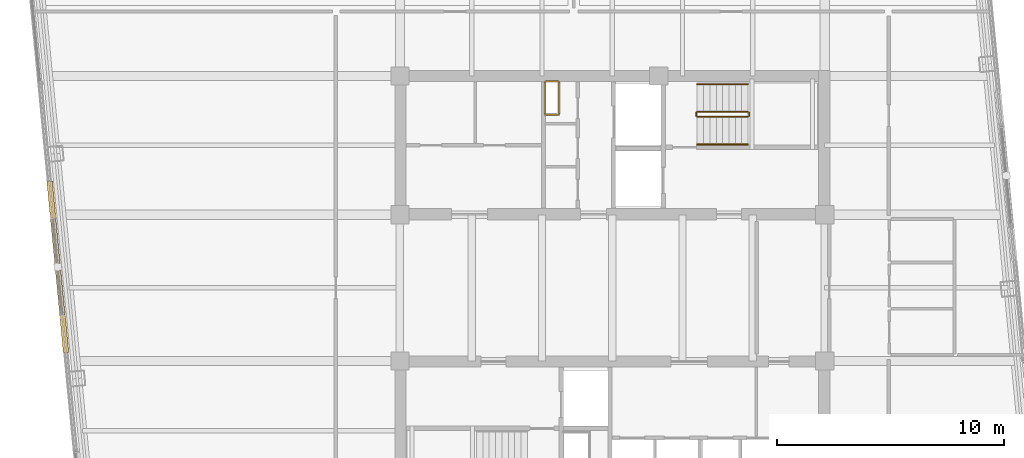
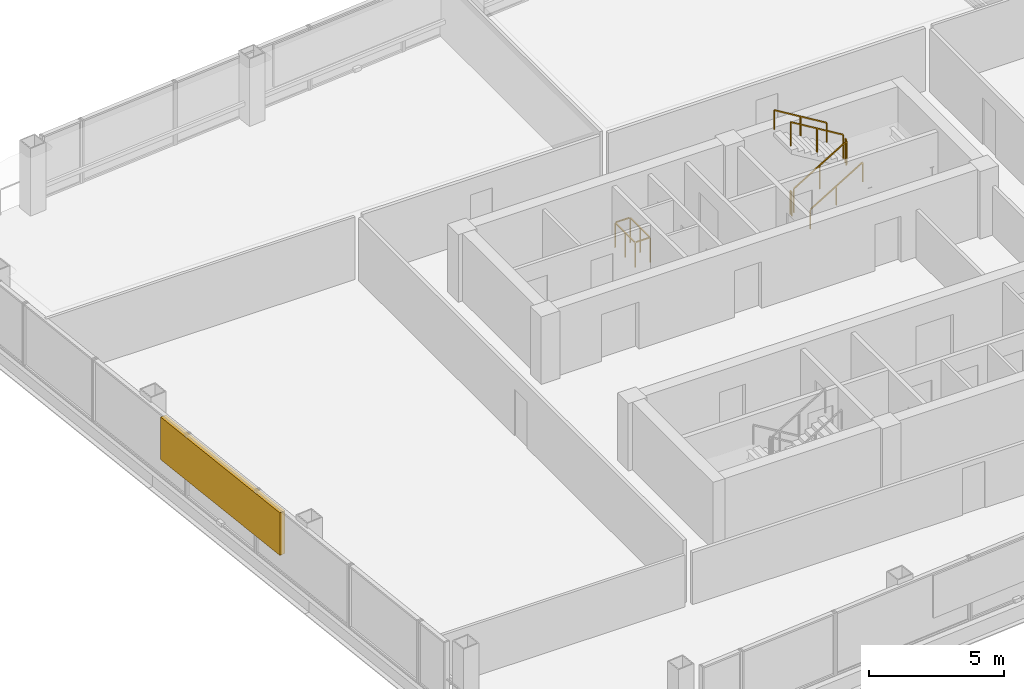
# One storey, part 27 of 28: 7 railings, 1 shading device.
"""IFC4 building model written with IfcOpenShell, lengths in metres."""

from ifc_helpers import new_model, si_unit, direction, frame, origin, origin_2d, place, context, subcontext, project, spatial, rectangle, extrude, material, type_object, element, save


model = new_model("IFC4")

# Units and contexts
model_context = context("Model", 3, precision=1e-05, world=origin(), true_north=direction((0.0, 1.0)))
body_context = subcontext(model_context, "Body", "Model", "MODEL_VIEW")
ifc_project = project(units=[si_unit("LENGTHUNIT", "METRE"), si_unit("AREAUNIT", "SQUARE_METRE"), si_unit("VOLUMEUNIT", "CUBIC_METRE"), si_unit("PLANEANGLEUNIT", "RADIAN"), si_unit("MASSUNIT", "GRAM", prefix="KILO")], contexts=[model_context])

# Site, building, storey
site_placement = place(None, origin())
site = spatial("IfcSite", under=ifc_project, at=site_placement, CompositionType="ELEMENT")
building_placement = place(site_placement, origin())
building = spatial("IfcBuilding", under=site, at=building_placement, Name="Qhalaya Broadcast Tower", CompositionType="ELEMENT")
storey_placement = place(building_placement, frame((0.0, 0.0, 159.199951171875)))
storey = spatial("IfcBuildingStorey", under=building, at=storey_placement, Name="L46", CompositionType="ELEMENT", Elevation=159.199951171875)

# Railings
ifc_material_1 = material(Name="Powder-Coated Galvanised Steel", Category="steel")
railing_type_1 = type_object("IfcRailingType", Name="Stair Wall Handrail 900", PredefinedType="HANDRAIL", material=ifc_material_1)
railing_1_placement = place(storey_placement, frame((3.75, 6.929931640625, 0.16943359375)))
element("IfcRailing", 1, at=railing_1_placement, inside=storey, type_object=railing_type_1, Name="L46 ST-1 Stair Handrail 1", PredefinedType="HANDRAIL", context=body_context, shape_type="SweptSolid", body=[
    extrude(rectangle(XDim=0.048095703125, YDim=0.048095703125, at=origin_2d()), frame((0.0, 0.0, 0.8759765625), z_axis=(0.855512035549, 0.0, 0.517782924622), x_axis=(0.0, 1.0, 0.0)), (0.0, 0.0, 1.0), 2.618408203125),
    extrude(rectangle(XDim=0.0419921875, YDim=0.0419921875, at=origin_2d()), origin(), (0.0, 0.0, 1.0), 0.849853515625),
    extrude(rectangle(XDim=0.0419921875, YDim=0.0419921875, at=origin_2d()), frame((1.1201171875, 0.0, 0.677734375)), (0.0, 0.0, 1.0), 0.849853515625),
    extrude(rectangle(XDim=0.0419921875, YDim=0.0419921875, at=origin_2d()), frame((2.239990234375, 0.0, 1.355712890625)), (0.0, 0.0, 1.0), 0.849853515625),
])
railing_2_placement = place(storey_placement, frame((5.989990234375, 9.590087890625, 1.694580078125)))
element("IfcRailing", 2, at=railing_2_placement, inside=storey, type_object=railing_type_1, Name="L46 ST-1 Stair Handrail 2", PredefinedType="HANDRAIL", context=body_context, shape_type="SweptSolid", body=[
    extrude(rectangle(XDim=0.048095703125, YDim=0.048095703125, at=origin_2d()), frame((0.0, 0.0, 0.8759765625), z_axis=(-0.855553338991, 0.0, 0.51771467445), x_axis=(0.0, -1.0, 0.0)), (0.0, 0.0, 1.0), 2.6181640625),
    extrude(rectangle(XDim=0.0419921875, YDim=0.0419921875, at=origin_2d()), origin(), (0.0, 0.0, 1.0), 0.849853515625),
    extrude(rectangle(XDim=0.0419921875, YDim=0.0419921875, at=origin_2d()), frame((-1.1201171875, 0.0, 0.677734375)), (0.0, 0.0, 1.0), 0.849853515625),
    extrude(rectangle(XDim=0.0419921875, YDim=0.0419921875, at=origin_2d()), frame((-2.239990234375, 0.0, 1.35546875)), (0.0, 0.0, 1.0), 0.849853515625),
])
railing_type_2 = type_object("IfcRailingType", Name="Stair Well & Landing Guardrail 1100", PredefinedType="GUARDRAIL", material=ifc_material_1)
railing_3_placement = place(storey_placement, frame((-2.340087890625, 8.239990234375, 0.0)))
element("IfcRailing", 3, at=railing_3_placement, inside=storey, type_object=railing_type_2, Name="L46 Service Riser Opening Safety Guard NRSR", PredefinedType="GUARDRAIL", context=body_context, shape_type="SweptSolid", body=[
    extrude(rectangle(XDim=0.048095703125, YDim=0.048095703125, at=origin_2d()), frame((0.0, 0.02880859375, 1.1259765625), z_axis=(0.0, 1.0, 0.0), x_axis=(-1.0, 0.0, 0.0)), (0.0, 0.0, 1.0), 1.42236328125),
    extrude(rectangle(XDim=0.048095703125, YDim=0.048095703125, at=origin_2d()), frame((-0.02880859375, 1.47998046875, 1.1259765625), z_axis=(-1.0, 0.0, 0.0), x_axis=(0.0, -1.0, 0.0)), (0.0, 0.0, 1.0), 0.582275390625),
    extrude(rectangle(XDim=0.048095703125, YDim=0.048095703125, at=origin_2d()), frame((-0.639892578125, 1.451171875, 1.1259765625), z_axis=(0.0, -1.0, 0.0), x_axis=(1.0, 0.0, 0.0)), (0.0, 0.0, 1.0), 1.42236328125),
    extrude(rectangle(XDim=0.048095703125, YDim=0.048095703125, at=origin_2d()), frame((-0.611083984375, 0.0, 1.1259765625), z_axis=(1.0, 0.0, 0.0), x_axis=(0.0, 1.0, 0.0)), (0.0, 0.0, 1.0), 0.582275390625),
    extrude(rectangle(XDim=0.0419921875, YDim=0.0419921875, at=origin_2d()), origin(), (0.0, 0.0, 1.0), 1.099853515625),
    extrude(rectangle(XDim=0.0419921875, YDim=0.0419921875, at=origin_2d()), frame((0.0, 0.739990234375, 0.0)), (0.0, 0.0, 1.0), 1.099853515625),
    extrude(rectangle(XDim=0.0419921875, YDim=0.0419921875, at=origin_2d()), frame((0.0, 1.47998046875, 0.0)), (0.0, 0.0, 1.0), 1.099853515625),
    extrude(rectangle(XDim=0.0419921875, YDim=0.0419921875, at=origin_2d()), frame((-0.639892578125, 1.47998046875, 0.0)), (0.0, 0.0, 1.0), 1.099853515625),
    extrude(rectangle(XDim=0.0419921875, YDim=0.0419921875, at=origin_2d()), frame((-0.639892578125, 0.739990234375, 0.0)), (0.0, 0.0, 1.0), 1.099853515625),
    extrude(rectangle(XDim=0.0419921875, YDim=0.0419921875, at=origin_2d()), frame((-0.639892578125, 0.0, 0.0)), (0.0, 0.0, 1.0), 1.099853515625),
])
railing_4_placement = place(storey_placement, frame((3.75, 8.14990234375, 0.16943359375)))
element("IfcRailing", 4, at=railing_4_placement, inside=storey, type_object=railing_type_2, Name="L46 ST-1 Stair Guard 1", PredefinedType="GUARDRAIL", context=body_context, shape_type="SweptSolid", body=[
    extrude(rectangle(XDim=0.048095703125, YDim=0.048095703125, at=origin_2d()), frame((0.0, 0.0, 1.076171875), z_axis=(0.855512035549, 0.0, 0.517782924622), x_axis=(0.0, 1.0, 0.0)), (0.0, 0.0, 1.0), 2.618408203125),
    extrude(rectangle(XDim=0.0419921875, YDim=0.0419921875, at=origin_2d()), origin(), (0.0, 0.0, 1.0), 1.050048828125),
    extrude(rectangle(XDim=0.0419921875, YDim=0.0419921875, at=origin_2d()), frame((1.1201171875, 0.0, 0.677734375)), (0.0, 0.0, 1.0), 1.050048828125),
    extrude(rectangle(XDim=0.0419921875, YDim=0.0419921875, at=origin_2d()), frame((2.239990234375, 0.0, 1.355712890625)), (0.0, 0.0, 1.0), 1.050048828125),
])
railing_5_placement = place(storey_placement, frame((6.0400390625, 8.199951171875, 1.525146484375)))
element("IfcRailing", 5, at=railing_5_placement, inside=storey, type_object=railing_type_2, Name="L46 ST-1 Stair Guard 2", PredefinedType="GUARDRAIL", context=body_context, shape_type="SweptSolid", body=[
    extrude(rectangle(XDim=0.048095703125, YDim=0.048095703125, at=origin_2d()), frame((0.0, 0.0, 1.076171875), z_axis=(0.0, 1.0, 0.0), x_axis=(-1.0, 0.0, 0.0)), (0.0, 0.0, 1.0), 0.1201171875),
    extrude(rectangle(XDim=0.0419921875, YDim=0.0419921875, at=origin_2d()), origin(), (0.0, 0.0, 1.0), 1.050048828125),
    extrude(rectangle(XDim=0.0419921875, YDim=0.0419921875, at=origin_2d()), frame((0.0, 0.1201171875, 0.0)), (0.0, 0.0, 1.0), 1.050048828125),
])
railing_6_placement = place(storey_placement, frame((5.989990234375, 8.3701171875, 1.694580078125)))
element("IfcRailing", 6, at=railing_6_placement, inside=storey, type_object=railing_type_2, Name="L46 ST-1 Stair Guard 3", PredefinedType="GUARDRAIL", context=body_context, shape_type="SweptSolid", body=[
    extrude(rectangle(XDim=0.048095703125, YDim=0.048095703125, at=origin_2d()), frame((0.0, 0.0, 1.076171875), z_axis=(-0.855553338991, 0.0, 0.51771467445), x_axis=(0.0, -1.0, 0.0)), (0.0, 0.0, 1.0), 2.6181640625),
    extrude(rectangle(XDim=0.0419921875, YDim=0.0419921875, at=origin_2d()), origin(), (0.0, 0.0, 1.0), 1.050048828125),
    extrude(rectangle(XDim=0.0419921875, YDim=0.0419921875, at=origin_2d()), frame((-1.1201171875, 0.0, 0.677734375)), (0.0, 0.0, 1.0), 1.050048828125),
    extrude(rectangle(XDim=0.0419921875, YDim=0.0419921875, at=origin_2d()), frame((-2.239990234375, 0.0, 1.35546875)), (0.0, 0.0, 1.0), 1.050048828125),
])
railing_7_placement = place(storey_placement, frame((3.699951171875, 8.199951171875, 0.0)))
element("IfcRailing", 7, at=railing_7_placement, inside=storey, type_object=railing_type_2, Name="L46 ST-1 Stair Guard 4", PredefinedType="GUARDRAIL", context=body_context, shape_type="SweptSolid", body=[
    extrude(rectangle(XDim=0.048095703125, YDim=0.048095703125, at=origin_2d()), frame((0.0, 0.0, 1.076171875), z_axis=(0.0, 1.0, 0.0), x_axis=(-1.0, 0.0, 0.0)), (0.0, 0.0, 1.0), 0.1201171875),
    extrude(rectangle(XDim=0.0419921875, YDim=0.0419921875, at=origin_2d()), origin(), (0.0, 0.0, 1.0), 1.050048828125),
    extrude(rectangle(XDim=0.0419921875, YDim=0.0419921875, at=origin_2d()), frame((0.0, 0.1201171875, 0.0)), (0.0, 0.0, 1.0), 1.050048828125),
])

# Shading device
ifc_material_2 = material(Name="Fired Architectural Terracotta", Category="masonry")
shading_device_type = type_object("IfcShadingDeviceType", Name="Terracotta Baguette Solar Screen Assembly TBS-01", PredefinedType="USERDEFINED", material=ifc_material_2)
shading_device_placement = place(storey_placement, frame((-24.47314453125, 1.5244140625, 0.79248046875), z_axis=(0.0, 0.0, 1.0), x_axis=(0.09584575252, -0.995396198367, 0.0)))
element("IfcShadingDevice", 8, at=shading_device_placement, inside=storey, type_object=shading_device_type, Name="L46 Fired Terracotta Baguette Screen W", ObjectType="BAGUETTE", PredefinedType="USERDEFINED", context=body_context, shape_type="SweptSolid", body=[
    extrude(rectangle(XDim=7.60009765625, YDim=0.239990234375, at=origin_2d()), origin(), (0.0, 0.0, 1.0), 1.924072265625),
])

save(model, "model.ifc")
